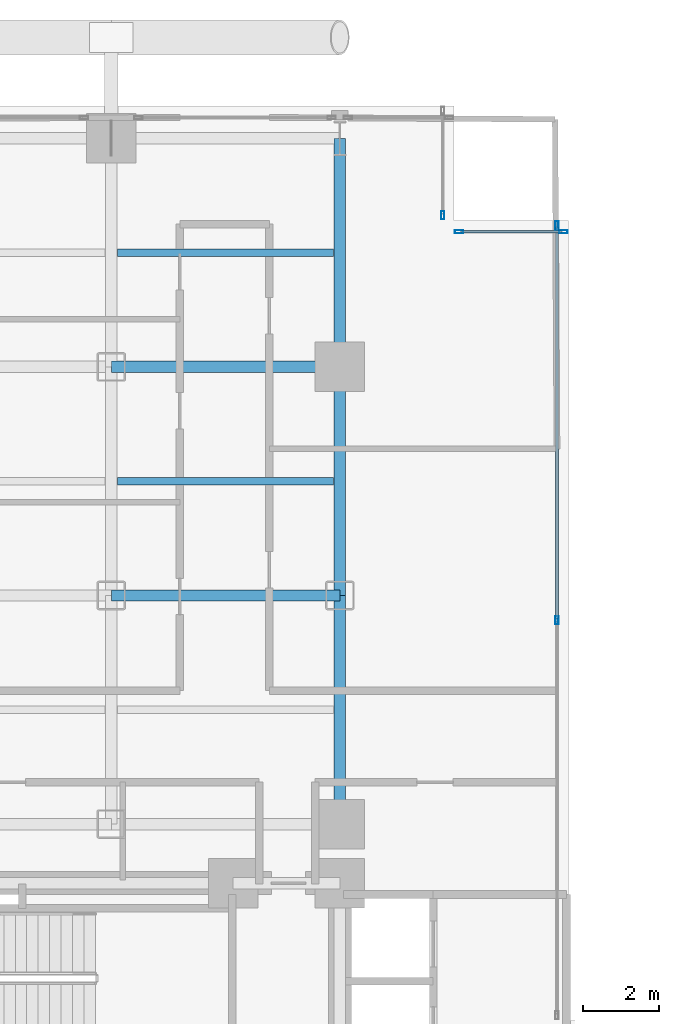
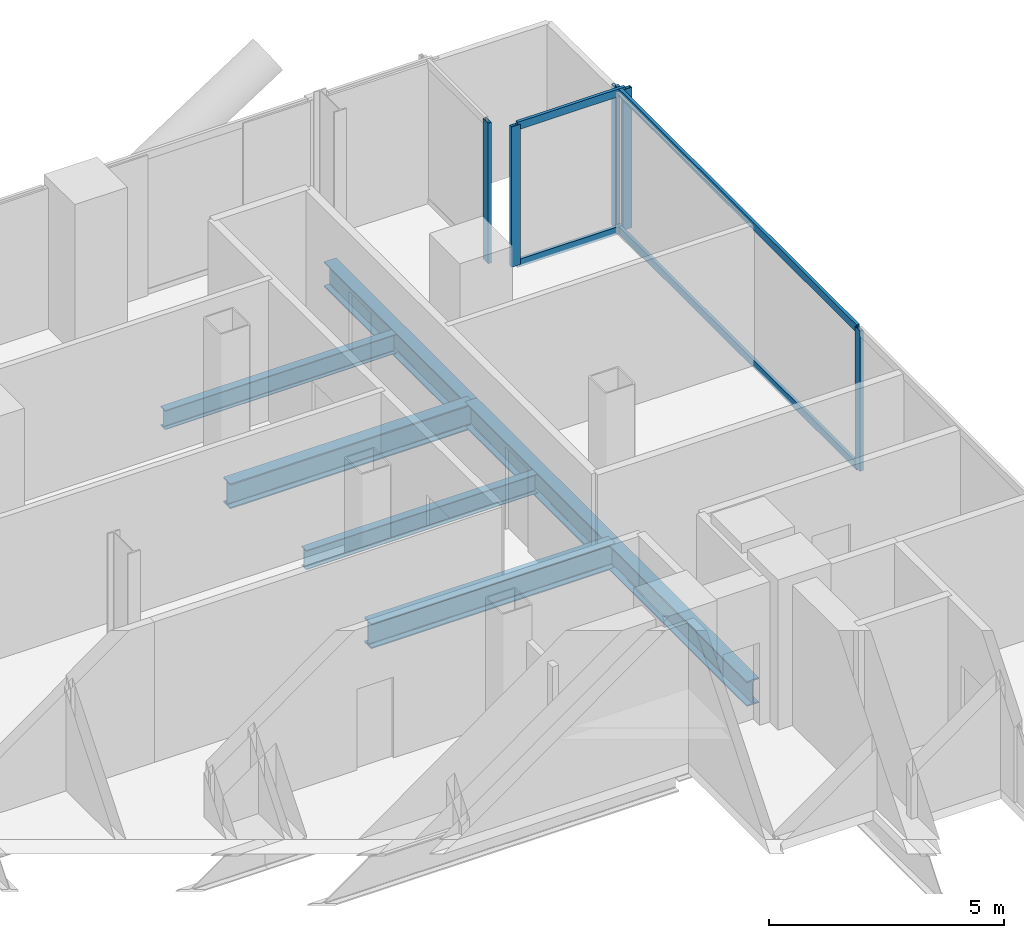
# One storey, part 15 of 27: 9 members, 7 beams, 3 elements without a shape of their own.
"""IFC4 building model written with IfcOpenShell, lengths in metres."""

from ifc_helpers import new_model, si_unit, direction, frame, origin, origin_2d, place, context, subcontext, project, spatial, hollow_rectangle, i_section, extrude, material, layer, layer_set, material_profile, profile_set, type_object, element, aggregate, save


model = new_model("IFC4")

# Units and contexts
model_context = context("Model", 3, precision=1e-05, world=origin(), true_north=direction((0.0, 1.0)))
body_context = subcontext(model_context, "Body", "Model", "MODEL_VIEW")
ifc_project = project(units=[si_unit("LENGTHUNIT", "METRE"), si_unit("AREAUNIT", "SQUARE_METRE"), si_unit("VOLUMEUNIT", "CUBIC_METRE"), si_unit("PLANEANGLEUNIT", "RADIAN"), si_unit("MASSUNIT", "GRAM", prefix="KILO"), si_unit("THERMODYNAMICTEMPERATUREUNIT", "KELVIN"), si_unit("POWERUNIT", "WATT")], contexts=[model_context])

# Site, building, storey
site_placement = place(None, origin())
site = spatial("IfcSite", under=ifc_project, at=site_placement, CompositionType="ELEMENT")
building_placement = place(site_placement, origin())
building = spatial("IfcBuilding", under=site, at=building_placement, Name="Svarakhadi Broadcast Tower", CompositionType="ELEMENT")
storey_placement = place(building_placement, frame((0.0, 0.0, 59.699951171875)))
storey = spatial("IfcBuildingStorey", under=building, at=storey_placement, Name="L13", CompositionType="ELEMENT", Elevation=59.699951171875)

# Beams
ifc_material_1 = material(Name="Steel S355J2 (IS 2062 E350C)", Category="steel")
ifc_material_profile_1 = material_profile(ifc_material_1, i_section(OverallWidth=0.199951171875, OverallDepth=0.5, WebThickness=0.01025390625, FlangeThickness=0.01611328125, FilletRadius=0.02099609375, at=origin_2d()), Name="NPB 500x200x91")
ifc_profile_set_1 = profile_set([ifc_material_profile_1], Name="Steel S355J2 (IS 2062 E350C)")
beam_type_1 = type_object("IfcBeamType", Name="Beam_NPB500", PredefinedType="BEAM", material=ifc_profile_set_1)
for number, where, z_axis, x_axis, name in (
    (1, (12.159912109375, 38.14990234375, -0.5), (1.0, 0.0, 0.0), (0.0, 1.0, 0.0), "L13 Secondary Composite Beam SB017"),
    (2, (12.159912109375, 44.14990234375, -0.5), (1.0, 0.0, 0.0), (0.0, 1.0, 0.0), "L13 Secondary Composite Beam SB018"),
):
    element("IfcBeam", number, at=place(storey_placement, frame(where, z_axis=z_axis, x_axis=x_axis)), inside=storey, type_object=beam_type_1, Name=name, PredefinedType="BEAM", context=body_context, shape_type="SweptSolid", body=[
        extrude(i_section(OverallWidth=0.199951171875, OverallDepth=0.5, WebThickness=0.01025390625, FlangeThickness=0.01611328125, FilletRadius=0.02099609375, at=origin_2d()), origin(), (0.0, 0.0, 1.0), 5.68017578125),
    ])

# Curtain wall, member
ifc_material_2 = material(Name="Anodised Bronze Aluminium AA 6063-T6", Category="aluminium")
ifc_layer = layer(ifc_material_2, 0.219970703125)
ifc_layer_set = layer_set([ifc_layer], Name="Anodised Bronze Aluminium AA 6063-T6")
curtain_wall_type = type_object("IfcCurtainWallType", Name="CW_Sys_02", PredefinedType="NOTDEFINED", material=ifc_layer_set)
curtain_wall_1_placement = place(storey_placement, origin())
curtain_wall_1 = element("IfcCurtainWall", 3, at=curtain_wall_1_placement, inside=storey, type_object=curtain_wall_type, Name="L13 Unitised Facade Curtain Wall 07", PredefinedType="NOTDEFINED")
ifc_material_profile_2 = material_profile(ifc_material_2, hollow_rectangle(XDim=0.0849609375, YDim=0.219970703125, WallThickness=0.006103515625, at=origin_2d()), Name="ALU MULLION 220x85x6")
ifc_profile_set_2 = profile_set([ifc_material_profile_2], Name="Anodised Bronze Aluminium AA 6063-T6")
member_type_1 = type_object("IfcMemberType", Name="CW_Sys_02_Mul", PredefinedType="MULLION", material=ifc_profile_set_2)
member_1_placement = place(storey_placement, frame((20.699951171875, 45.132568359375, 0.0), z_axis=(0.0, 0.0, 1.0), x_axis=(1.0, 0.0, 0.0)))
member_1 = element("IfcMember", 4, at=member_1_placement, type_object=member_type_1, Name="CW-02 mullion 2", PredefinedType="MULLION", context=body_context, shape_type="SweptSolid", body=[
    extrude(hollow_rectangle(XDim=0.0849609375, YDim=0.219970703125, WallThickness=0.006103515625, at=origin_2d()), origin(), (0.0, 0.0, 1.0), 3.650146484375),
])
aggregate(curtain_wall_1, [member_1])

# Curtain wall, members
curtain_wall_2_placement = place(storey_placement, origin())
curtain_wall_2 = element("IfcCurtainWall", 5, at=curtain_wall_2_placement, inside=storey, type_object=curtain_wall_type, Name="L13 Unitised Facade Curtain Wall 08", PredefinedType="NOTDEFINED")
member_2_placement = place(storey_placement, frame((21.132568359375, 44.699951171875, 0.0), z_axis=(0.0, 0.0, 1.0), x_axis=(0.0, 1.0, 0.0)))
member_2 = element("IfcMember", 6, at=member_2_placement, type_object=member_type_1, Name="CW-02 mullion 1", PredefinedType="MULLION", context=body_context, shape_type="SweptSolid", body=[
    extrude(hollow_rectangle(XDim=0.0849609375, YDim=0.219970703125, WallThickness=0.006103515625, at=origin_2d()), origin(), (0.0, 0.0, 1.0), 3.650146484375),
])
member_3_placement = place(storey_placement, frame((23.867431640625, 44.699951171875, 0.0), z_axis=(0.0, 0.0, 1.0), x_axis=(0.0, 1.0, 0.0)))
member_3 = element("IfcMember", 7, at=member_3_placement, type_object=member_type_1, Name="CW-02 mullion 2", PredefinedType="MULLION", context=body_context, shape_type="SweptSolid", body=[
    extrude(hollow_rectangle(XDim=0.0849609375, YDim=0.219970703125, WallThickness=0.006103515625, at=origin_2d()), origin(), (0.0, 0.0, 1.0), 3.650146484375),
])

curtain_wall_3_placement = place(storey_placement, origin())
curtain_wall_3 = element("IfcCurtainWall", 8, at=curtain_wall_3_placement, inside=storey, type_object=curtain_wall_type, Name="L13 Unitised Facade Curtain Wall 09", PredefinedType="NOTDEFINED")
member_4_placement = place(storey_placement, frame((23.699951171875, 44.867431640625, 0.0), z_axis=(0.0, 0.0, 1.0), x_axis=(1.0, 0.0, 0.0)))
member_4 = element("IfcMember", 9, at=member_4_placement, type_object=member_type_1, Name="CW-02 mullion 1", PredefinedType="MULLION", context=body_context, shape_type="SweptSolid", body=[
    extrude(hollow_rectangle(XDim=0.0849609375, YDim=0.219970703125, WallThickness=0.006103515625, at=origin_2d()), origin(), (0.0, 0.0, 1.0), 3.650146484375),
])
member_5_placement = place(storey_placement, frame((23.699951171875, 34.5, 0.0), z_axis=(0.0, 0.0, 1.0), x_axis=(1.0, 0.0, 0.0)))
member_5 = element("IfcMember", 10, at=member_5_placement, type_object=member_type_1, Name="CW-02 mullion 2", PredefinedType="MULLION", context=body_context, shape_type="SweptSolid", body=[
    extrude(hollow_rectangle(XDim=0.0849609375, YDim=0.219970703125, WallThickness=0.006103515625, at=origin_2d()), origin(), (0.0, 0.0, 1.0), 3.650146484375),
])

# Member
ifc_material_profile_3 = material_profile(ifc_material_2, hollow_rectangle(XDim=0.074951171875, YDim=0.199951171875, WallThickness=0.0048828125, at=origin_2d()), Name="ALU TRANSOM 200x75x5")
ifc_profile_set_3 = profile_set([ifc_material_profile_3], Name="Anodised Bronze Aluminium AA 6063-T6")
member_type_2 = type_object("IfcMemberType", Name="CW_Sys_02_Trn", PredefinedType="USERDEFINED", material=ifc_profile_set_3)
member_6_placement = place(storey_placement, frame((21.175048828125, 44.699951171875, 0.03759765625), z_axis=(1.0, 0.0, 0.0), x_axis=(0.0, 1.0, 0.0)))
member_6 = element("IfcMember", 11, at=member_6_placement, type_object=member_type_2, Name="CW-02 transom 1.1", ObjectType="TRANSOM", PredefinedType="USERDEFINED", context=body_context, shape_type="SweptSolid", body=[
    extrude(hollow_rectangle(XDim=0.074951171875, YDim=0.199951171875, WallThickness=0.0048828125, at=origin_2d()), origin(), (0.0, 0.0, 1.0), 2.64990234375),
])

member_7_placement = place(storey_placement, frame((21.175048828125, 44.699951171875, 3.612548828125), z_axis=(1.0, 0.0, 0.0), x_axis=(0.0, 1.0, 0.0)))
member_7 = element("IfcMember", 12, at=member_7_placement, type_object=member_type_2, Name="CW-02 transom 1.2", ObjectType="TRANSOM", PredefinedType="USERDEFINED", context=body_context, shape_type="SweptSolid", body=[
    extrude(hollow_rectangle(XDim=0.074951171875, YDim=0.199951171875, WallThickness=0.0048828125, at=origin_2d()), origin(), (0.0, 0.0, 1.0), 2.64990234375),
])

aggregate(curtain_wall_2, [member_2, member_3, member_6, member_7])

member_8_placement = place(storey_placement, frame((23.699951171875, 44.824951171875, 0.03759765625), z_axis=(0.0, -1.0, 0.0), x_axis=(1.0, 0.0, 0.0)))
member_8 = element("IfcMember", 13, at=member_8_placement, type_object=member_type_2, Name="CW-02 transom 1.1", ObjectType="TRANSOM", PredefinedType="USERDEFINED", context=body_context, shape_type="SweptSolid", body=[
    extrude(hollow_rectangle(XDim=0.074951171875, YDim=0.199951171875, WallThickness=0.0048828125, at=origin_2d()), origin(), (0.0, 0.0, 1.0), 10.282470703125),
])

member_9_placement = place(storey_placement, frame((23.699951171875, 44.824951171875, 3.612548828125), z_axis=(0.0, -1.0, 0.0), x_axis=(1.0, 0.0, 0.0)))
member_9 = element("IfcMember", 14, at=member_9_placement, type_object=member_type_2, Name="CW-02 transom 1.2", ObjectType="TRANSOM", PredefinedType="USERDEFINED", context=body_context, shape_type="SweptSolid", body=[
    extrude(hollow_rectangle(XDim=0.074951171875, YDim=0.199951171875, WallThickness=0.0048828125, at=origin_2d()), origin(), (0.0, 0.0, 1.0), 10.282470703125),
])

aggregate(curtain_wall_3, [member_4, member_5, member_8, member_9])

# Beams
ifc_material_profile_4 = material_profile(ifc_material_1, i_section(OverallWidth=0.300048828125, OverallDepth=0.64990234375, WebThickness=0.01611328125, FlangeThickness=0.031005859375, FilletRadius=0.027099609375, at=origin_2d()), Name="WPB 650x300x225")
ifc_profile_set_4 = profile_set([ifc_material_profile_4], Name="Steel S355J2 (IS 2062 E350C)")
beam_type_2 = type_object("IfcBeamType", Name="Girder_WPB650", PredefinedType="USERDEFINED", material=ifc_profile_set_4)
for number, where, z_axis, x_axis, name in (
    (15, (12.0, 35.14990234375, -0.574951171875), (1.0, 0.0, 0.0), (0.0, 1.0, 0.0), "L13 Primary E-W Girder G039"),
    (16, (12.0, 41.14990234375, -0.574951171875), (1.0, 0.0, 0.0), (0.0, 1.0, 0.0), "L13 Primary E-W Girder G042"),
    (17, (18.0, 29.14990234375, -0.574951171875), (0.0, 1.0, 0.0), (-1.0, 0.0, 0.0), "L13 Primary N-S Girder G068"),
    (18, (18.0, 35.14990234375, -0.574951171875), (0.0, 1.0, 0.0), (-1.0, 0.0, 0.0), "L13 Primary N-S Girder G069"),
    (19, (18.0, 41.14990234375, -0.574951171875), (0.0, 1.0, 0.0), (-1.0, 0.0, 0.0), "L13 Primary N-S Girder G070"),
):
    element("IfcBeam", number, at=place(storey_placement, frame(where, z_axis=z_axis, x_axis=x_axis)), inside=storey, type_object=beam_type_2, Name=name, ObjectType="GIRDER", PredefinedType="USERDEFINED", context=body_context, shape_type="SweptSolid", body=[
        extrude(i_section(OverallWidth=0.300048828125, OverallDepth=0.64990234375, WebThickness=0.01611328125, FlangeThickness=0.031005859375, FilletRadius=0.027099609375, at=origin_2d()), origin(), (0.0, 0.0, 1.0), 6.0),
    ])

save(model, "model.ifc")
